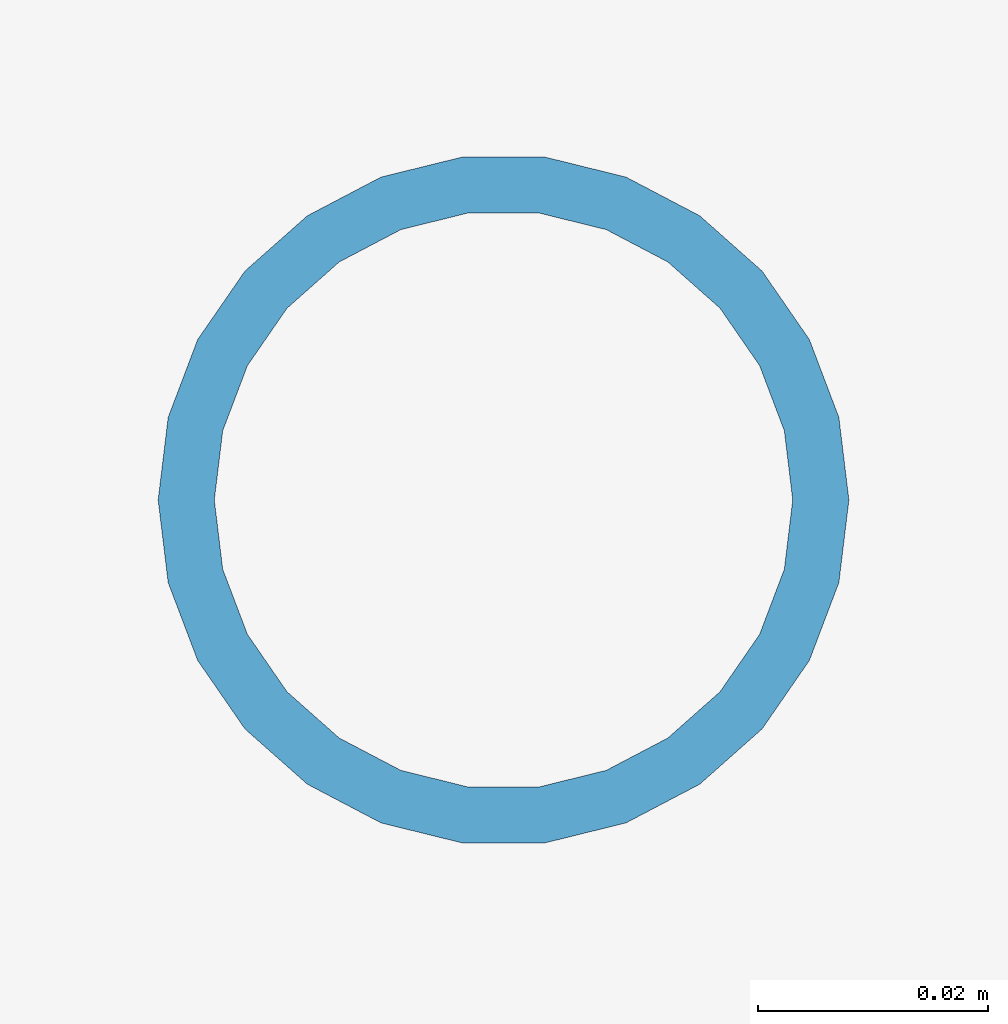
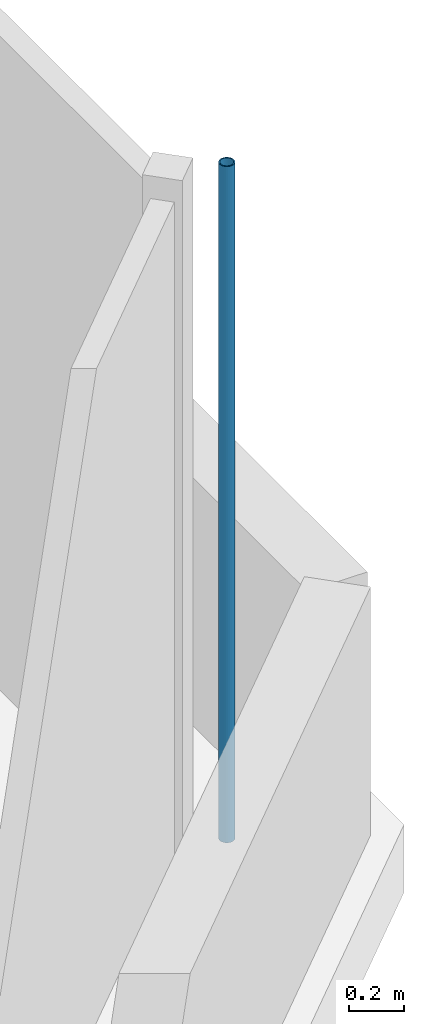
# One storey, part 1 of 5: 1 member.
"""IFC4 building model written with IfcOpenShell, lengths in metres."""

from ifc_helpers import new_model, si_unit, direction, frame, origin, origin_2d, place, context, subcontext, project, spatial, hollow_circle, extrude, material, material_profile, profile_set, type_object, element, save


model = new_model("IFC4")

# Units and contexts
model_context = context("Model", 3, precision=1e-05, world=origin(), true_north=direction((0.0, 1.0)))
body_context = subcontext(model_context, "Body", "Model", "MODEL_VIEW")
ifc_project = project(units=[si_unit("LENGTHUNIT", "METRE"), si_unit("AREAUNIT", "SQUARE_METRE"), si_unit("VOLUMEUNIT", "CUBIC_METRE"), si_unit("PLANEANGLEUNIT", "RADIAN"), si_unit("MASSUNIT", "GRAM", prefix="KILO")], contexts=[model_context])

# Site, building, storey
site_placement = place(None, origin())
site = spatial("IfcSite", under=ifc_project, at=site_placement, CompositionType="ELEMENT")
building_placement = place(site_placement, origin())
building = spatial("IfcBuilding", under=site, at=building_placement, Name="Welwitschia Terrace Campus", CompositionType="ELEMENT")
storey_placement = place(building_placement, frame((0.0, 0.0, 344.0)))
storey = spatial("IfcBuildingStorey", under=building, at=storey_placement, Name="MAIN ROOF", CompositionType="ELEMENT", Elevation=344.0)

# Member
ifc_material = material(Name="Stainless steel grade 316", Category="steel")
ifc_material_profile = material_profile(ifc_material, hollow_circle(Radius=0.030029296875, WallThickness=0.0048828125, at=origin_2d()))
ifc_profile_set = profile_set([ifc_material_profile], Name="Stainless steel grade 316")
member_type = type_object("IfcMemberType", Name="Lightning rod CHS 60x5", PredefinedType="USERDEFINED", material=ifc_profile_set)
member_placement = place(storey_placement, frame((30.39990234375, 1.834228515625, 0.0), z_axis=(0.0, 0.0, 1.0), x_axis=(1.0, 0.0, 0.0)))
element("IfcMember", 1, at=member_placement, inside=storey, type_object=member_type, Name="MAST rod 3", ObjectType="MAST", PredefinedType="USERDEFINED", context=body_context, shape_type="SweptSolid", body=[
    extrude(hollow_circle(Radius=0.030029296875, WallThickness=0.0048828125, at=origin_2d()), origin(), (0.0, 0.0, 1.0), 3.0),
])

save(model, "model.ifc")
